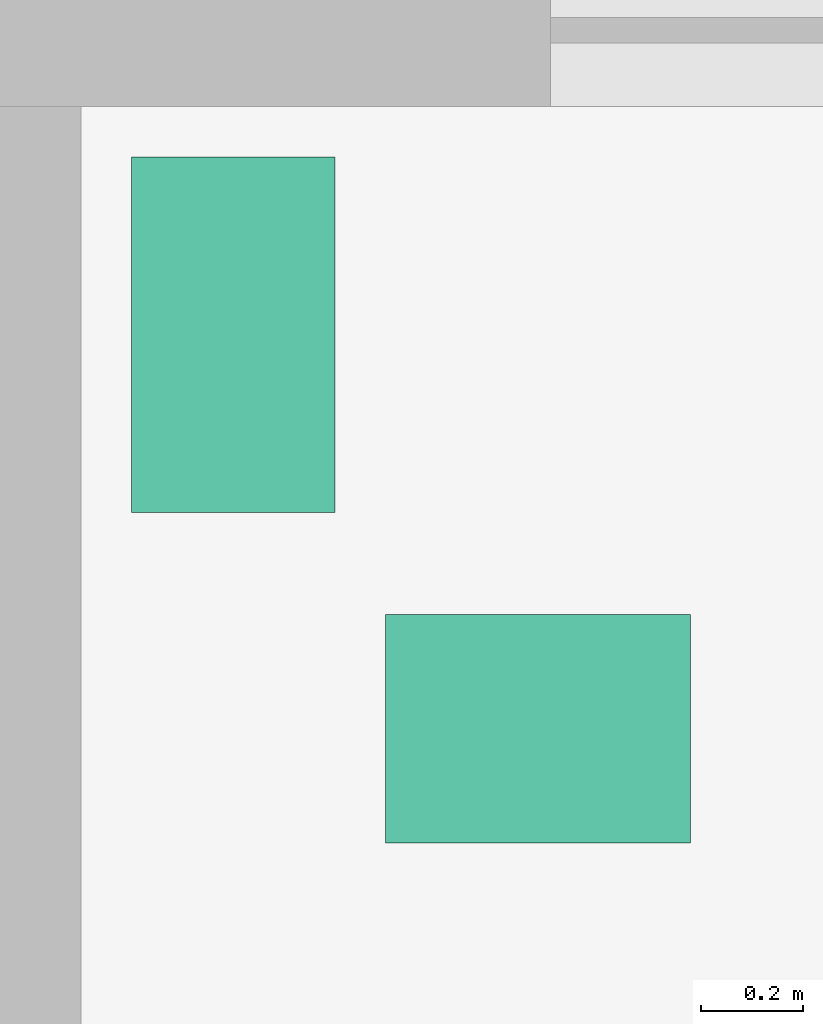
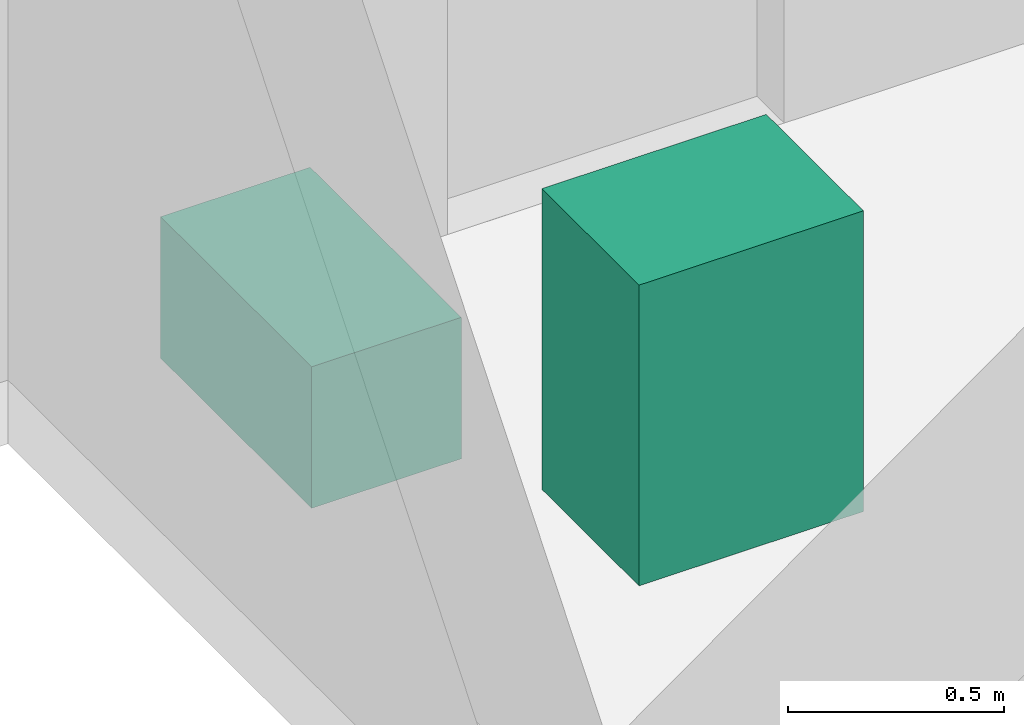
# One storey, part 16 of 16: 2 sanitary terminals.
"""IFC4 building model written with IfcOpenShell, lengths in metres."""

from ifc_helpers import new_model, si_unit, direction, frame, origin, origin_2d, place, context, subcontext, project, spatial, rectangle, extrude, element, save


model = new_model("IFC4")

# Units and contexts
model_context = context("Model", 3, precision=1e-05, world=origin(), true_north=direction((0.0, 1.0)))
body_context = subcontext(model_context, "Body", "Model", "MODEL_VIEW")
ifc_project = project(units=[si_unit("LENGTHUNIT", "METRE"), si_unit("AREAUNIT", "SQUARE_METRE"), si_unit("VOLUMEUNIT", "CUBIC_METRE"), si_unit("PLANEANGLEUNIT", "RADIAN"), si_unit("MASSUNIT", "GRAM", prefix="KILO")], contexts=[model_context])

# Site, building, storey
site_placement = place(None, origin())
site = spatial("IfcSite", under=ifc_project, at=site_placement, CompositionType="ELEMENT")
building_placement = place(site_placement, origin())
building = spatial("IfcBuilding", under=site, at=building_placement, Name="Hankou Lantern Tower", CompositionType="ELEMENT")
storey_placement = place(building_placement, frame((0.0, 0.0, 73.800048828125)))
storey = spatial("IfcBuildingStorey", under=building, at=storey_placement, Name="L18", CompositionType="ELEMENT", Elevation=73.800048828125)

# Sanitary terminals
sanitary_terminal_1_placement = place(storey_placement, frame((-5.574951171875, -2.199951171875, 0.0), z_axis=(0.0, 0.0, 1.0), x_axis=(1.0, 0.0, 0.0)))
element("IfcSanitaryTerminal", 1, at=sanitary_terminal_1_placement, inside=storey, Name="Accessible staff WC WC pan 1", PredefinedType="TOILETPAN", context=body_context, shape_type="SweptSolid", body=[
    extrude(rectangle(XDim=0.39990234375, YDim=0.699951171875, at=origin_2d()), origin(), (0.0, 0.0, 1.0), 0.39990234375),
])
sanitary_terminal_2_placement = place(storey_placement, frame((-4.97509765625, -2.97509765625, 0.0), z_axis=(0.0, 0.0, 1.0), x_axis=(1.0, 0.0, 0.0)))
element("IfcSanitaryTerminal", 2, at=sanitary_terminal_2_placement, inside=storey, Name="Accessible staff WC wash basin 1", PredefinedType="WASHHANDBASIN", context=body_context, shape_type="SweptSolid", body=[
    extrude(rectangle(XDim=0.60009765625, YDim=0.449951171875, at=origin_2d()), origin(), (0.0, 0.0, 1.0), 0.85009765625),
])

save(model, "model.ifc")
